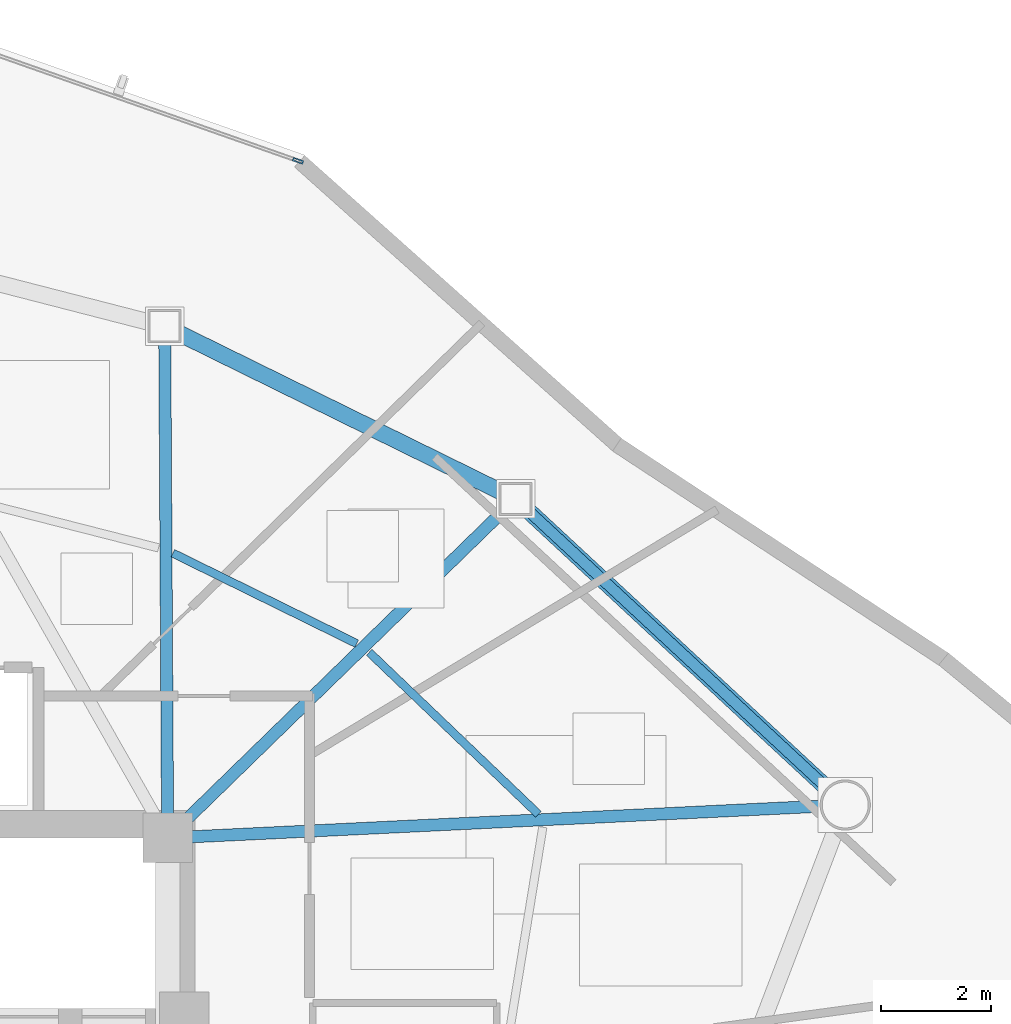
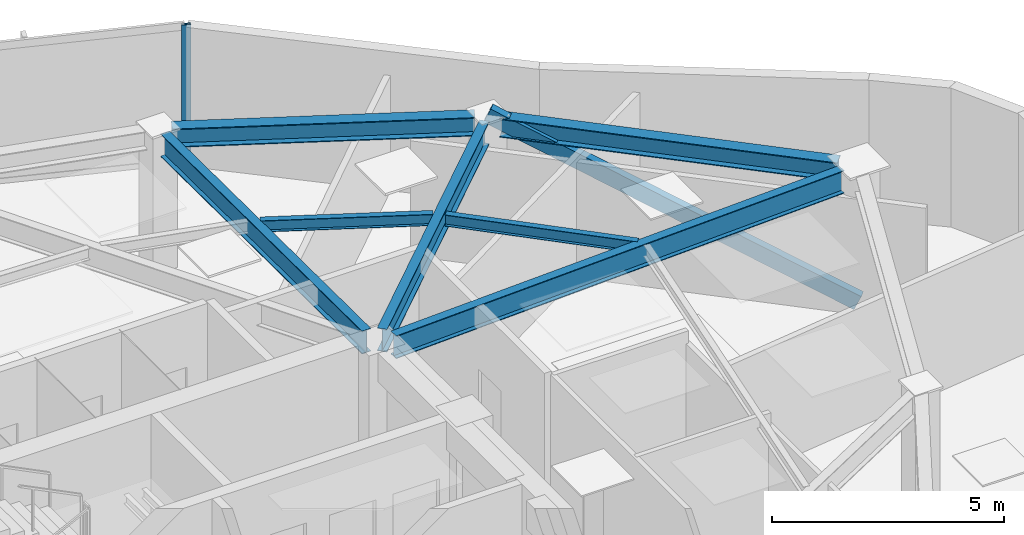
# One storey, part 6 of 13: 7 beams, 2 members, 1 element without a shape of its own.
"""IFC4 building model written with IfcOpenShell, lengths in metres."""

import ifcopenshell
import ifcopenshell.guid

model = None  # the IFC model being written
_history = None  # IfcOwnerHistory: only IFC2X3 demands one
_inside = {}  # id of a spatial element -> (the spatial element, [elements in it])
_under = {}  # id of a project, library or spatial element -> (it, [spatial elements below it])
_declared = {}  # id of a project -> (the project, [libraries it declares])
_typed = {}  # id of a type object -> (the type object, [elements of that type])
_made_of = {}  # id of a material, layer set ... -> (it, [elements and type objects made of it])


def new_model(schema):
    """Start an empty IFC model of exactly this schema.

    Asked for "IFC4X3", IfcOpenShell would pick the latest addendum, in which some entities
    have other attributes; the version numbers below select the first issue.
    IFC2X3 requires an IfcOwnerHistory on every rooted entity: one is made here for all.
    """
    global model, _history
    if schema == "IFC4X3":
        model = ifcopenshell.file(schema_version=(4, 3, 0, 0))
    else:
        model = ifcopenshell.file(schema=schema)
    _inside.clear()
    _under.clear()
    _declared.clear()
    _typed.clear()
    _made_of.clear()
    _history = None
    if model.schema == "IFC2X3":
        org = make("IfcOrganization", Name="unknown")
        user = make(
            "IfcPersonAndOrganization",
            ThePerson=make("IfcPerson", FamilyName="unknown"),
            TheOrganization=org,
        )
        app = make(
            "IfcApplication",
            ApplicationDeveloper=org,
            Version="unknown",
            ApplicationFullName="unknown",
            ApplicationIdentifier="unknown",
        )
        _history = make(
            "IfcOwnerHistory",
            OwningUser=user,
            OwningApplication=app,
            ChangeAction="ADDED",
            CreationDate=0,
        )
    return model


def make(cls, **values):
    """One entity of the class cls with the attributes given. An attribute that is None is left unset."""
    return model.create_entity(
        cls, **{name: value for name, value in values.items() if value is not None}
    )


def rooted(cls, **values):
    """An entity with a GlobalId (a new one), such as an element, a storey or a relation."""
    return make(cls, GlobalId=ifcopenshell.guid.new(), OwnerHistory=_history, **values)


def si_unit(unit_type, name, prefix=None):
    """IfcSIUnit, for example si_unit("LENGTHUNIT", "METRE", prefix="MILLI")."""
    return make("IfcSIUnit", UnitType=unit_type, Prefix=prefix, Name=name)


def assignment(units):
    """IfcUnitAssignment: the units of a project."""
    return None if units is None else make("IfcUnitAssignment", Units=units)


def point(xyz):
    """IfcCartesianPoint."""
    return None if xyz is None else make("IfcCartesianPoint", Coordinates=xyz)


def direction(xyz):
    """IfcDirection."""
    return None if xyz is None else make("IfcDirection", DirectionRatios=xyz)


def frame(location, z_axis=None, x_axis=None):
    """IfcAxis2Placement3D, a coordinate frame: its origin and axes. An axis left out is left unset."""
    return make(
        "IfcAxis2Placement3D",
        Location=point(location),
        Axis=direction(z_axis),
        RefDirection=direction(x_axis),
    )


def frame_2d(location, x_axis=None):
    """IfcAxis2Placement2D, a coordinate frame in the plane: its origin and x axis."""
    return make(
        "IfcAxis2Placement2D", Location=point(location), RefDirection=direction(x_axis)
    )


def origin():
    """The frame at (0, 0, 0) with its axes left unset."""
    return frame((0.0, 0.0, 0.0))


def origin_2d():
    """The frame at (0, 0) in the plane with its x axis left unset."""
    return frame_2d((0.0, 0.0))


def place(relative_to, where):
    """IfcLocalPlacement: puts the frame where relative to a parent placement (None: the world)."""
    return make(
        "IfcLocalPlacement", PlacementRelTo=relative_to, RelativePlacement=where
    )


def context(
    kind, dimensions, precision=None, world=None, true_north=None, identifier=None
):
    """IfcGeometricRepresentationContext, for example the 3D "Model" context."""
    return make(
        "IfcGeometricRepresentationContext",
        ContextIdentifier=identifier,
        ContextType=kind,
        CoordinateSpaceDimension=dimensions,
        Precision=precision,
        WorldCoordinateSystem=world,
        TrueNorth=true_north,
    )


def subcontext(parent, identifier, kind, view, scale=None):
    """IfcGeometricRepresentationSubContext, for example "Body" below "Model"."""
    return make(
        "IfcGeometricRepresentationSubContext",
        ContextIdentifier=identifier,
        ContextType=kind,
        ParentContext=parent,
        TargetScale=scale,
        TargetView=view,
    )


def project(units=None, contexts=None):
    """IfcProject with its units and contexts."""
    return rooted(
        "IfcProject",
        Name="project",
        RepresentationContexts=contexts,
        UnitsInContext=assignment(units),
    )


def spatial(cls, under=None, at=None, **own):
    """A site, building, storey or space (cls), placed at a placement, below another one or the project."""
    s = rooted(cls, ObjectPlacement=at, **own)
    if under is not None:
        _under.setdefault(under.id(), (under, []))[1].append(s)
    return s


def profile(cls, at=None, kind="AREA", **sizes):
    """A parametric profile (cls). Its sizes go by their IFC names, for example OverallWidth=200.0."""
    return make(cls, ProfileType=kind, Position=at, **sizes)


def hollow_rectangle(**sizes):
    """IfcRectangleHollowProfileDef."""
    return profile("IfcRectangleHollowProfileDef", **sizes)


def i_section(**sizes):
    """IfcIShapeProfileDef."""
    return profile("IfcIShapeProfileDef", **sizes)


def extrude(swept, where, along, depth):
    """IfcExtrudedAreaSolid: the profile swept, set in the frame where, extruded along a direction by depth."""
    return make(
        "IfcExtrudedAreaSolid",
        SweptArea=swept,
        Position=where,
        ExtrudedDirection=direction(along),
        Depth=depth,
    )


def shape(context_of_items, identifier, shape_type, items):
    """IfcShapeRepresentation: the items that make up one representation, for example the "Body"."""
    return make(
        "IfcShapeRepresentation",
        ContextOfItems=context_of_items,
        RepresentationIdentifier=identifier,
        RepresentationType=shape_type,
        Items=items,
    )


def source(mapping_origin, context_of_items, identifier, shape_type, items):
    """IfcRepresentationMap: a shape defined once, which mapped items show again and again."""
    return make(
        "IfcRepresentationMap",
        MappingOrigin=mapping_origin,
        MappedRepresentation=shape(context_of_items, identifier, shape_type, items),
    )


def transform(
    local_origin,
    x_axis=None,
    y_axis=None,
    z_axis=None,
    scale=None,
    scale2=None,
    scale3=None,
    uniform=True,
):
    """IfcCartesianTransformationOperator3D, or its non-uniform kind. x_axis, y_axis, z_axis: its Axis1, 2, 3."""
    if uniform:
        return make(
            "IfcCartesianTransformationOperator3D",
            Axis1=direction(x_axis),
            Axis2=direction(y_axis),
            LocalOrigin=point(local_origin),
            Scale=scale,
            Axis3=direction(z_axis),
        )
    return make(
        "IfcCartesianTransformationOperator3DnonUniform",
        Axis1=direction(x_axis),
        Axis2=direction(y_axis),
        LocalOrigin=point(local_origin),
        Scale=scale,
        Axis3=direction(z_axis),
        Scale2=scale2,
        Scale3=scale3,
    )


def mapped(mapping_source, mapping_target):
    """IfcMappedItem: shows the shape of a source again, moved by a transform."""
    return make(
        "IfcMappedItem", MappingSource=mapping_source, MappingTarget=mapping_target
    )


def material(Name=None, Category=None):
    """IfcMaterial."""
    return make("IfcMaterial", Name=Name, Category=Category)


def layer(
    of_material, thickness, ventilated=None, Name=None, Category=None, Priority=None
):
    """IfcMaterialLayer: one layer of a wall or slab, of a material (None: an air gap)."""
    return make(
        "IfcMaterialLayer",
        Material=of_material,
        LayerThickness=thickness,
        IsVentilated=ventilated,
        Name=Name,
        Category=Category,
        Priority=Priority,
    )


def layer_set(layers, Name=None):
    """IfcMaterialLayerSet."""
    return make("IfcMaterialLayerSet", MaterialLayers=layers, LayerSetName=Name)


def material_profile(
    of_material, cross_section, Name=None, Category=None, Priority=None
):
    """IfcMaterialProfile: a cross section and its material."""
    return make(
        "IfcMaterialProfile",
        Name=Name,
        Material=of_material,
        Profile=cross_section,
        Priority=Priority,
        Category=Category,
    )


def profile_set(profiles, Name=None, composite=None):
    """IfcMaterialProfileSet."""
    return make(
        "IfcMaterialProfileSet",
        Name=Name,
        MaterialProfiles=profiles,
        CompositeProfile=composite,
    )


def made_of(thing, what):
    """Note that an element or type object is made of a material, layer set ...; save() writes the relation."""
    if what is not None:
        _made_of.setdefault(what.id(), (what, []))[1].append(thing)
    return thing


def type_object(cls, material=None, **own):
    """A type object (cls), such as IfcWallType, which elements share."""
    return made_of(rooted(cls, **own), material)


def type_shapes(of_type, sources):
    """Give a type object the sources (RepresentationMaps) that its elements show as mapped items."""
    of_type.RepresentationMaps = sources


def element(
    cls,
    number,
    at=None,
    inside=None,
    cuts=None,
    type_object=None,
    material=None,
    context=None,
    identifier="Body",
    shape_type=None,
    held_by="IfcProductDefinitionShape",
    body=None,
    shapes=None,
    **own,
):
    """One element of the class cls, such as IfcWall. Its Tag is "e" and its number.

    at: its placement. inside: the storey or other place that contains it. cuts: it is an
    opening in that element (IfcRelVoidsElement). A single representation is given by context,
    identifier, shape_type and body (its items); several are given by shapes. held_by: the class
    of the entity that holds the representations. save() writes the other relations.
    """
    e = rooted(cls, Tag="e%d" % number, ObjectPlacement=at, **own)
    if body is not None:
        shapes = [shape(context, identifier, shape_type, body)]
    if shapes is not None:
        e.Representation = make(held_by, Representations=shapes)
    if inside is not None:
        _inside.setdefault(inside.id(), (inside, []))[1].append(e)
    if cuts is not None:
        rooted(
            "IfcRelVoidsElement", RelatingBuildingElement=cuts, RelatedOpeningElement=e
        )
    if type_object is not None:
        _typed.setdefault(type_object.id(), (type_object, []))[1].append(e)
    return made_of(e, material)


def aggregate(whole, parts):
    """IfcRelAggregates: a whole, such as a stair, and the parts it consists of."""
    return rooted("IfcRelAggregates", RelatingObject=whole, RelatedObjects=parts)


def save(model, path):
    """Write the relations noted so far, then the file.

    IfcRelAggregates (storeys below a building ...), IfcRelContainedInSpatialStructure (elements
    in a storey), IfcRelDefinesByType, IfcRelAssociatesMaterial and IfcRelDeclares: one each for
    every whole, place, type object, material and project.
    """
    for whole, parts in _under.values():
        aggregate(whole, parts)
    for where, things in _inside.values():
        rooted(
            "IfcRelContainedInSpatialStructure",
            RelatedElements=things,
            RelatingStructure=where,
        )
    for kind, things in _typed.values():
        rooted("IfcRelDefinesByType", RelatedObjects=things, RelatingType=kind)
    for what, things in _made_of.values():
        rooted("IfcRelAssociatesMaterial", RelatedObjects=things, RelatingMaterial=what)
    for by, libraries in _declared.values():
        rooted("IfcRelDeclares", RelatingContext=by, RelatedDefinitions=libraries)
    model.write(path)


model = new_model("IFC4")

# Units and contexts
model_context = context("Model", 3, precision=1e-05, world=origin(), true_north=direction((0.0, 1.0)))
body_context = subcontext(model_context, "Body", "Model", "MODEL_VIEW")
ifc_project = project(units=[si_unit("LENGTHUNIT", "METRE"), si_unit("AREAUNIT", "SQUARE_METRE"), si_unit("VOLUMEUNIT", "CUBIC_METRE"), si_unit("PLANEANGLEUNIT", "RADIAN"), si_unit("MASSUNIT", "GRAM", prefix="KILO")], contexts=[model_context])

# Site, building, storey
site_placement = place(None, origin())
site = spatial("IfcSite", under=ifc_project, at=site_placement, CompositionType="ELEMENT")
building_placement = place(site_placement, origin())
building = spatial("IfcBuilding", under=site, at=building_placement, Name="Tavelor Broadcast Tower", CompositionType="ELEMENT")
storey_placement = place(building_placement, frame((0.0, 0.0, 226.10009765625)))
storey = spatial("IfcBuildingStorey", under=building, at=storey_placement, Name="L53", CompositionType="ELEMENT", Elevation=226.10009765625)

# Beams
ifc_material_1 = material(Name="Steel S355", Category="steel")
ifc_material_profile_1 = material_profile(ifc_material_1, i_section(OverallWidth=0.14990234375, OverallDepth=0.300048828125, WebThickness=0.007080078125, FlangeThickness=0.0107421875, at=origin_2d()), Name="IPE 300")
ifc_profile_set_1 = profile_set([ifc_material_profile_1], Name="Steel S355")
beam_type_1 = type_object("IfcBeamType", Name="Composite Floor Joist T5 IPE 300", PredefinedType="JOIST", material=ifc_profile_set_1)
beam_1_placement = place(storey_placement, frame((63.3427734375, 51.629150390625, 3.5), z_axis=(-0.722407874214, 0.691467181632, 0.0), x_axis=(-0.691467181632, -0.722407874214, 0.0)))
element("IfcBeam", 1, at=beam_1_placement, inside=storey, type_object=beam_type_1, Name="L53 Secondary Composite Floor Joist 13", PredefinedType="JOIST", context=body_context, shape_type="SweptSolid", body=[
    extrude(i_section(OverallWidth=0.14990234375, OverallDepth=0.300048828125, WebThickness=0.007080078125, FlangeThickness=0.0107421875, at=origin_2d()), origin(), (0.0, 0.0, 1.0), 4.260986328125),
])
beam_2_placement = place(storey_placement, frame((60.038818359375, 54.7333984375, 3.5), z_axis=(-0.897394619692, 0.441228848272, 0.0), x_axis=(-0.441228848272, -0.897394619692, 0.0)))
element("IfcBeam", 2, at=beam_2_placement, inside=storey, type_object=beam_type_1, Name="L53 Secondary Composite Floor Joist 14", PredefinedType="JOIST", context=body_context, shape_type="SweptSolid", body=[
    extrude(i_section(OverallWidth=0.14990234375, OverallDepth=0.300048828125, WebThickness=0.007080078125, FlangeThickness=0.0107421875, at=origin_2d()), origin(), (0.0, 0.0, 1.0), 3.7265625),
])
ifc_material_profile_2 = material_profile(ifc_material_1, i_section(OverallWidth=0.300048828125, OverallDepth=0.489990234375, WebThickness=0.011962890625, FlangeThickness=0.02294921875, at=origin_2d()), Name="HEA 500")
ifc_profile_set_2 = profile_set([ifc_material_profile_2], Name="Steel S355")
beam_type_2 = type_object("IfcBeamType", Name="Perimeter Spandrel Beam T5 HEA 500", PredefinedType="SPANDREL", material=ifc_profile_set_2)
beam_3_placement = place(storey_placement, frame((68.59814453125, 52.09765625, 3.40478515625), z_axis=(-0.732770151307, 0.680476234231, 0.0), x_axis=(-0.680476234231, -0.732770151307, 0.0)))
element("IfcBeam", 3, at=beam_3_placement, inside=storey, type_object=beam_type_2, Name="L53 Framed-Tube Ring Spandrel 13", PredefinedType="SPANDREL", context=body_context, shape_type="SweptSolid", body=[
    extrude(i_section(OverallWidth=0.300048828125, OverallDepth=0.489990234375, WebThickness=0.011962890625, FlangeThickness=0.02294921875, at=origin_2d()), origin(), (0.0, 0.0, 1.0), 7.451171875),
])
beam_4_placement = place(storey_placement, frame((62.668701171875, 57.4912109375, 3.40478515625), z_axis=(-0.897262651787, 0.441497150284, 0.0), x_axis=(-0.441497150284, -0.897262651787, 0.0)))
element("IfcBeam", 4, at=beam_4_placement, inside=storey, type_object=beam_type_2, Name="L53 Framed-Tube Ring Spandrel 14", PredefinedType="SPANDREL", context=body_context, shape_type="SweptSolid", body=[
    extrude(i_section(OverallWidth=0.300048828125, OverallDepth=0.489990234375, WebThickness=0.011962890625, FlangeThickness=0.02294921875, at=origin_2d()), origin(), (0.0, 0.0, 1.0), 6.536376953125),
])

# Member
ifc_material_profile_3 = material_profile(ifc_material_1, hollow_rectangle(XDim=0.199951171875, YDim=0.39990234375, WallThickness=0.01611328125, at=origin_2d()), Name="RHS 400x200x16")
ifc_profile_set_3 = profile_set([ifc_material_profile_3], Name="Steel S355")
member_type_1 = type_object("IfcMemberType", Name="Perimeter Tube Brace T5 RHS 400x200x16", PredefinedType="BRACE", material=ifc_profile_set_3)
member_1_placement = place(storey_placement, frame((68.919677734375, 51.799072265625, 0.0), z_axis=(-0.669140005594, 0.621404656244, 0.407563376803), x_axis=(-0.680486595916, -0.732760528944, 0.0)))
element("IfcMember", 5, at=member_1_placement, inside=storey, type_object=member_type_1, Name="L53 Corner Tube Diagonal Brace 3", PredefinedType="BRACE", context=body_context, shape_type="SweptSolid", body=[
    extrude(hollow_rectangle(XDim=0.199951171875, YDim=0.39990234375, WallThickness=0.01611328125, at=origin_2d()), origin(), (0.0, 0.0, 1.0), 8.955322265625),
])

# Beams
ifc_material_profile_4 = material_profile(ifc_material_1, i_section(OverallWidth=0.219970703125, OverallDepth=0.60009765625, WebThickness=0.011962890625, FlangeThickness=0.01904296875, at=origin_2d()), Name="IPE 600")
ifc_profile_set_4 = profile_set([ifc_material_profile_4], Name="Steel S355")
beam_type_3 = type_object("IfcBeamType", Name="Radial Floor Girder T5 IPE 600", PredefinedType="BEAM", material=ifc_profile_set_4)
beam_5_placement = place(storey_placement, frame((57.031494140625, 51.220947265625, 3.349853515625), z_axis=(0.998819342989, 0.048579008537, 0.0), x_axis=(-0.048579008537, 0.998819342989, 0.0)))
element("IfcBeam", 6, at=beam_5_placement, inside=storey, type_object=beam_type_3, Name="L53 Radial Primary Floor Girder 13", PredefinedType="BEAM", context=body_context, shape_type="SweptSolid", body=[
    extrude(i_section(OverallWidth=0.219970703125, OverallDepth=0.60009765625, WebThickness=0.011962890625, FlangeThickness=0.01904296875, at=origin_2d()), origin(), (0.0, 0.0, 1.0), 11.46337890625),
])
beam_6_placement = place(storey_placement, frame((56.909423828125, 51.50146484375, 3.349853515625), z_axis=(0.716299388852, 0.697793082175, 0.0), x_axis=(-0.697793082175, 0.716299388852, 0.0)))
element("IfcBeam", 7, at=beam_6_placement, inside=storey, type_object=beam_type_3, Name="L53 Radial Primary Floor Girder 14", PredefinedType="BEAM", context=body_context, shape_type="SweptSolid", body=[
    extrude(i_section(OverallWidth=0.219970703125, OverallDepth=0.60009765625, WebThickness=0.011962890625, FlangeThickness=0.01904296875, at=origin_2d()), origin(), (0.0, 0.0, 1.0), 8.11328125),
])
beam_7_placement = place(storey_placement, frame((56.597412109375, 51.632080078125, 3.349853515625), z_axis=(-0.005830390092, 0.999983003131, 0.0), x_axis=(-0.999983003131, -0.005830390092, 0.0)))
element("IfcBeam", 8, at=beam_7_placement, inside=storey, type_object=beam_type_3, Name="L53 Radial Primary Floor Girder 15", PredefinedType="BEAM", context=body_context, shape_type="SweptSolid", body=[
    extrude(i_section(OverallWidth=0.219970703125, OverallDepth=0.60009765625, WebThickness=0.011962890625, FlangeThickness=0.01904296875, at=origin_2d()), origin(), (0.0, 0.0, 1.0), 8.584228515625),
])

# Curtain wall, member
ifc_material_2 = material(Name="Architectural Anodized Aluminium", Category="aluminium")
ifc_layer = layer(ifc_material_2, 0.199951171875)
ifc_layer_set = layer_set([ifc_layer], Name="Architectural Anodized Aluminium")
curtain_wall_type = type_object("IfcCurtainWallType", Name="Tower High-Zone Triple-Glazed Curtain Wall CW04", PredefinedType="NOTDEFINED", material=ifc_layer_set)
curtain_wall_placement = place(storey_placement, origin())
curtain_wall = element("IfcCurtainWall", 9, at=curtain_wall_placement, inside=storey, type_object=curtain_wall_type, Name="L53 Curtain Wall CW04 Run 573", PredefinedType="NOTDEFINED")
ifc_material_profile_5 = material_profile(ifc_material_2, hollow_rectangle(XDim=0.070068359375, YDim=0.199951171875, WallThickness=0.02197265625, at=origin_2d()), Name="RHS 70x200x22")
ifc_profile_set_5 = profile_set([ifc_material_profile_5], Name="Architectural Anodized Aluminium")
member_type_2 = type_object("IfcMemberType", Name="CW04 Extruded Aluminium Mullion 70x200", PredefinedType="MULLION", material=ifc_profile_set_5)
shared_shape = source(origin(), body_context, "Body", "SweptSolid", [
    extrude(hollow_rectangle(XDim=0.070068359375, YDim=0.199951171875, WallThickness=0.02197265625, at=origin_2d()), origin(), (0.0, 0.0, 1.0), 3.64990234375),
])
type_shapes(member_type_2, [shared_shape])
member_2_placement = place(storey_placement, frame((58.970458984375, 63.512451171875, 0.0), z_axis=(0.0, 0.0, 1.0), x_axis=(-0.331753825827, -0.943365994219, 0.0)))
member_2 = element("IfcMember", 10, at=member_2_placement, type_object=member_type_2, Name="CW04 mullion 1", PredefinedType="MULLION", context=body_context, shape_type="MappedRepresentation", body=[
    mapped(shared_shape, transform((0.0, 0.0, 0.0), scale=1.0)),
])
aggregate(curtain_wall, [member_2])

save(model, "model.ifc")
